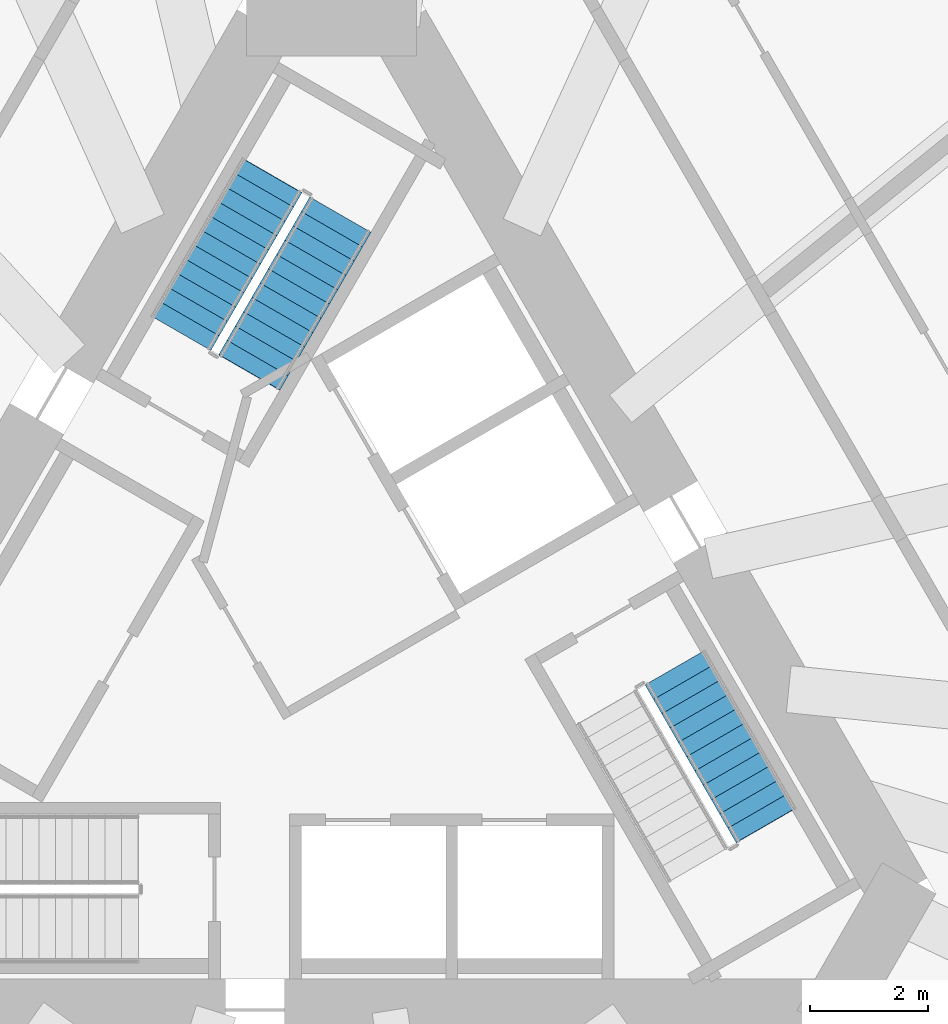
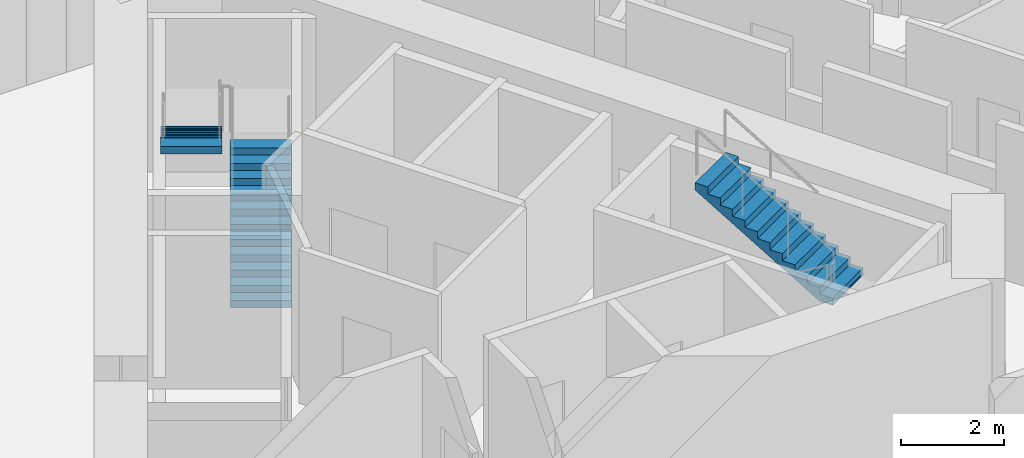
# One storey, part 10 of 14: 3 stair flights, 2 elements without a shape of their own.
"""IFC4 building model written with IfcOpenShell, lengths in metres."""

from ifc_helpers import new_model, si_unit, direction, frame, origin, place, context, subcontext, project, spatial, polyline, outline, extrude, material, layer, layer_set, type_object, element, aggregate, save


model = new_model("IFC4")

# Units and contexts
model_context = context("Model", 3, precision=1e-05, world=origin(), true_north=direction((0.0, 1.0)))
body_context = subcontext(model_context, "Body", "Model", "MODEL_VIEW")
ifc_project = project(units=[si_unit("LENGTHUNIT", "METRE"), si_unit("AREAUNIT", "SQUARE_METRE"), si_unit("VOLUMEUNIT", "CUBIC_METRE"), si_unit("PLANEANGLEUNIT", "RADIAN"), si_unit("MASSUNIT", "GRAM", prefix="KILO")], contexts=[model_context])

# Site, building, storey
site_placement = place(None, origin())
site = spatial("IfcSite", under=ifc_project, at=site_placement, CompositionType="ELEMENT")
building_placement = place(site_placement, origin())
building = spatial("IfcBuilding", under=site, at=building_placement, Name="Tramontana Tower", CompositionType="ELEMENT")
storey_placement = place(building_placement, frame((0.0, 0.0, 55.199951171875)))
storey = spatial("IfcBuildingStorey", under=building, at=storey_placement, Name="L11", CompositionType="ELEMENT", Elevation=55.199951171875)

# Stair, stair flights
ifc_material_1 = material(Name="Concrete 40 MPa", Category="concrete")
stair_type = type_object("IfcStairType", Name="EXIT STAIR 24 RISERS", PredefinedType="HALF_TURN_STAIR", material=ifc_material_1)
stair_1_placement = place(storey_placement, origin())
stair_1 = element("IfcStair", 1, at=stair_1_placement, inside=storey, type_object=stair_type, Name="L11 Exit stair ST1", PredefinedType="HALF_TURN_STAIR")
ifc_material_2 = material(Name="Concrete 40 MPa", Category="concrete")
ifc_layer = layer(ifc_material_2, 0.14990234375)
ifc_layer_set = layer_set([ifc_layer], Name="EXIT STAIR FLIGHT")
stair_flight_type = type_object("IfcStairFlightType", Name="EXIT STAIR FLIGHT", PredefinedType="STRAIGHT", material=ifc_layer_set)
stair_flight_1_placement = place(storey_placement, frame((-1.39111328125, 4.590576171875, 0.0), z_axis=(0.0, 0.0, 1.0), x_axis=(0.5, 0.866025403784, 0.0)))
stair_flight_1 = element("IfcStairFlight", 2, at=stair_flight_1_placement, type_object=stair_flight_type, Name="ST1 flight 1", NumberOfRisers=12, NumberOfTreads=11, PredefinedType="STRAIGHT", RiserHeight=0.166666667, TreadLength=0.28, context=body_context, shape_type="SweptSolid", body=[
    extrude(outline(polyline([(-0.006103515625, 0.0), (-0.006103515625, 0.0400390625), (0.0, 0.0400390625), (0.0, 0.166748046875), (0.280029296875, 0.166748046875), (0.280029296875, 0.333251953125), (0.56005859375, 0.333251953125), (0.56005859375, 0.5), (0.840087890625, 0.5), (0.840087890625, 0.666748046875), (1.1201171875, 0.666748046875), (1.1201171875, 0.833251953125), (1.39990234375, 0.833251953125), (1.39990234375, 1.0), (1.679931640625, 1.0), (1.679931640625, 1.166748046875), (1.9599609375, 1.166748046875), (1.9599609375, 1.333251953125), (2.239990234375, 1.333251953125), (2.239990234375, 1.5), (2.52001953125, 1.5), (2.52001953125, 1.666748046875), (2.800048828125, 1.666748046875), (2.800048828125, 1.833251953125), (3.080078125, 1.833251953125), (3.0859375, 1.833251953125), (3.0859375, 1.658935546875), (0.299072265625, 0.0), (-0.006103515625, 0.0)])), frame((0.0, 0.60009765625, 0.0), z_axis=(0.0, -1.0, 0.0), x_axis=(1.0, 0.0, 0.0)), (0.0, 0.0, 1.0), 1.199951171875),
])
stair_flight_2_placement = place(storey_placement, frame((-1.020263671875, 7.932861328125, 2.0), z_axis=(0.0, 0.0, 1.0), x_axis=(-0.5, -0.866025403784, 0.0)))
stair_flight_2 = element("IfcStairFlight", 3, at=stair_flight_2_placement, type_object=stair_flight_type, Name="ST1 flight 2", NumberOfRisers=12, NumberOfTreads=11, PredefinedType="STRAIGHT", RiserHeight=0.166666667, TreadLength=0.28, context=body_context, shape_type="SweptSolid", body=[
    extrude(outline(polyline([(-0.006103515625, 0.0), (-0.006103515625, 0.0400390625), (0.0, 0.0400390625), (0.0, 0.166748046875), (0.280029296875, 0.166748046875), (0.280029296875, 0.333251953125), (0.56005859375, 0.333251953125), (0.56005859375, 0.5), (0.840087890625, 0.5), (0.840087890625, 0.666748046875), (1.1201171875, 0.666748046875), (1.1201171875, 0.833251953125), (1.39990234375, 0.833251953125), (1.39990234375, 1.0), (1.679931640625, 1.0), (1.679931640625, 1.166748046875), (1.9599609375, 1.166748046875), (1.9599609375, 1.333251953125), (2.239990234375, 1.333251953125), (2.239990234375, 1.5), (2.52001953125, 1.5), (2.52001953125, 1.666748046875), (2.800048828125, 1.666748046875), (2.800048828125, 1.833251953125), (3.080078125, 1.833251953125), (3.0859375, 1.833251953125), (3.0859375, 1.658935546875), (0.299072265625, 0.0), (-0.006103515625, 0.0)])), frame((0.0, 0.60009765625, 0.0), z_axis=(0.0, -1.0, 0.0), x_axis=(1.0, 0.0, 0.0)), (0.0, 0.0, 1.0), 1.199951171875),
])
aggregate(stair_1, [stair_flight_1, stair_flight_2])

# Stair, stair flight
stair_2_placement = place(storey_placement, origin())
stair_2 = element("IfcStair", 4, at=stair_2_placement, inside=storey, type_object=stair_type, Name="L11 Exit stair ST3", PredefinedType="HALF_TURN_STAIR")
stair_flight_3_placement = place(storey_placement, frame((7.380126953125, -3.0830078125, 2.0), z_axis=(0.0, 0.0, 1.0), x_axis=(-0.5, 0.866025403784, 0.0)))
stair_flight_3 = element("IfcStairFlight", 5, at=stair_flight_3_placement, type_object=stair_flight_type, Name="ST3 flight 2", NumberOfRisers=12, NumberOfTreads=11, PredefinedType="STRAIGHT", RiserHeight=0.166666667, TreadLength=0.28, context=body_context, shape_type="SweptSolid", body=[
    extrude(outline(polyline([(-0.006103515625, 0.0), (-0.006103515625, 0.0400390625), (0.0, 0.0400390625), (0.0, 0.166748046875), (0.280029296875, 0.166748046875), (0.280029296875, 0.333251953125), (0.56005859375, 0.333251953125), (0.56005859375, 0.5), (0.840087890625, 0.5), (0.840087890625, 0.666748046875), (1.1201171875, 0.666748046875), (1.1201171875, 0.833251953125), (1.39990234375, 0.833251953125), (1.39990234375, 1.0), (1.679931640625, 1.0), (1.679931640625, 1.166748046875), (1.9599609375, 1.166748046875), (1.9599609375, 1.333251953125), (2.239990234375, 1.333251953125), (2.239990234375, 1.5), (2.52001953125, 1.5), (2.52001953125, 1.666748046875), (2.800048828125, 1.666748046875), (2.800048828125, 1.833251953125), (3.080078125, 1.833251953125), (3.0859375, 1.833251953125), (3.0859375, 1.658935546875), (0.299072265625, 0.0), (-0.006103515625, 0.0)])), frame((0.0, 0.60009765625, 0.0), z_axis=(0.0, -1.0, 0.0), x_axis=(1.0, 0.0, 0.0)), (0.0, 0.0, 1.0), 1.199951171875),
])
aggregate(stair_2, [stair_flight_3])

save(model, "model.ifc")
